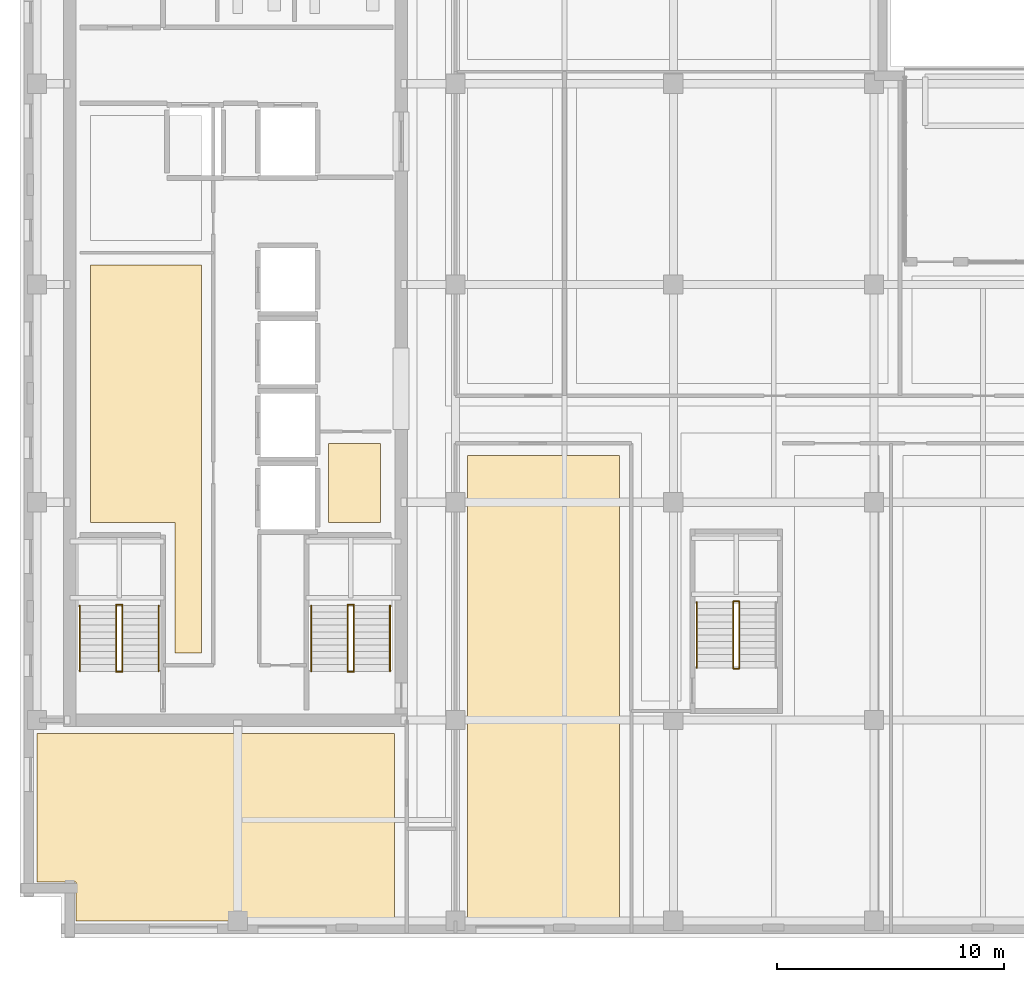
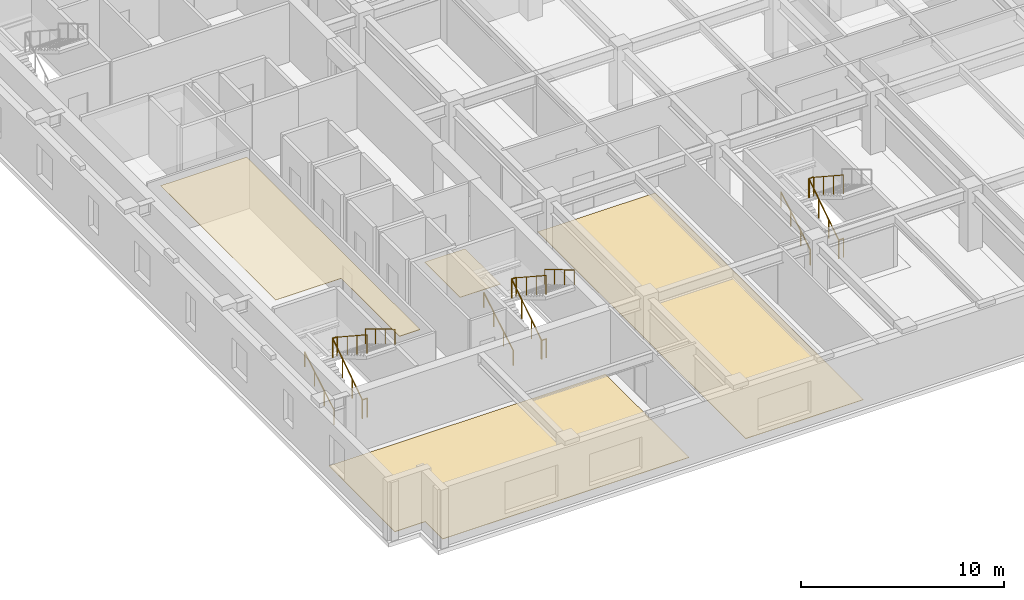
# One storey, part 10 of 14: 17 railings, 4 coverings.
"""IFC4 building model written with IfcOpenShell, lengths in metres."""

from ifc_helpers import new_model, si_unit, direction, frame, origin, origin_2d, place, context, subcontext, project, spatial, polyline, circle, outline, extrude, material, layer, layer_set, type_object, element, save


model = new_model("IFC4")

# Units and contexts
model_context = context("Model", 3, precision=1e-05, world=origin(), true_north=direction((0.0, 1.0)))
body_context = subcontext(model_context, "Body", "Model", "MODEL_VIEW")
ifc_project = project(units=[si_unit("LENGTHUNIT", "METRE"), si_unit("AREAUNIT", "SQUARE_METRE"), si_unit("VOLUMEUNIT", "CUBIC_METRE"), si_unit("PLANEANGLEUNIT", "RADIAN"), si_unit("MASSUNIT", "GRAM", prefix="KILO")], contexts=[model_context])

# Site, building, storey
site_placement = place(None, origin())
site = spatial("IfcSite", under=ifc_project, at=site_placement, CompositionType="ELEMENT")
building_placement = place(site_placement, origin())
building = spatial("IfcBuilding", under=site, at=building_placement, Name="Norrvale University Quadrangle", CompositionType="ELEMENT")
storey_placement = place(building_placement, frame((0.0, 0.0, 221.800048828125)))
storey = spatial("IfcBuildingStorey", under=building, at=storey_placement, Name="L56", CompositionType="ELEMENT", Elevation=221.800048828125)

# Coverings
ifc_material_1 = material(Name="Perforated Acoustic Mineral Ceiling")
ifc_layer_1 = layer(ifc_material_1, 0.02490234375, Name="Perforated Acoustic Mineral Ceiling")
ifc_layer_set_1 = layer_set([ifc_layer_1], Name="Perforated Acoustic Mineral Ceiling")
covering_type_1 = type_object("IfcCoveringType", Name="Covering Acoustic Ceiling 25", PredefinedType="CEILING", material=ifc_layer_set_1)
covering_1_placement = place(storey_placement, frame((0.0, 0.0, 3.514892578125)))
element("IfcCovering", 1, at=covering_1_placement, inside=storey, type_object=covering_type_1, Name="Acoustic Ceiling RM-L56-REC1", PredefinedType="CEILING", context=body_context, shape_type="SweptSolid", body=[
    extrude(outline(polyline([(3.10009765625, 18.300048828125), (3.10009765625, 29.64990234375), (8.0, 29.64990234375), (8.0, 12.550048828125), (6.830078125, 12.550048828125), (6.830078125, 18.300048828125), (3.10009765625, 18.300048828125)])), origin(), (0.0, 0.0, 1.0), 0.025146484375),
])
ifc_material_2 = material(Name="Polished Terrazzo Flooring")
ifc_layer_2 = layer(ifc_material_2, 0.02490234375, Name="Polished Terrazzo Flooring")
ifc_layer_set_2 = layer_set([ifc_layer_2], Name="Polished Terrazzo Flooring")
covering_type_2 = type_object("IfcCoveringType", Name="Covering Terrazzo Floor 30", PredefinedType="FLOORING", material=ifc_layer_set_2)
covering_2_placement = place(storey_placement, origin())
element("IfcCovering", 2, at=covering_2_placement, inside=storey, type_object=covering_type_2, Name="Terrazzo Flooring RM-L56-JAN", PredefinedType="FLOORING", context=body_context, shape_type="SweptSolid", body=[
    extrude(outline(polyline([(13.60009765625, 18.300048828125), (13.60009765625, 21.800048828125), (15.89990234375, 21.800048828125), (15.89990234375, 18.300048828125), (13.60009765625, 18.300048828125)])), origin(), (0.0, 0.0, 1.0), 0.02490234375),
])
covering_3_placement = place(storey_placement, origin())
element("IfcCovering", 3, at=covering_3_placement, inside=storey, type_object=covering_type_2, Name="Terrazzo Flooring RM-L56-SW1", PredefinedType="FLOORING", context=body_context, shape_type="SweptSolid", body=[
    extrude(outline(polyline([(16.5, 9.0), (16.5, 0.75), (2.469970703125, 0.75), (2.469970703125, 2.469970703125), (0.75, 2.469970703125), (0.75, 9.0), (16.5, 9.0)])), origin(), (0.0, 0.0, 1.0), 0.02490234375),
])
covering_4_placement = place(storey_placement, origin())
element("IfcCovering", 4, at=covering_4_placement, inside=storey, type_object=covering_type_2, Name="Terrazzo Flooring RM-L56-SE1", PredefinedType="FLOORING", context=body_context, shape_type="SweptSolid", body=[
    extrude(outline(polyline([(26.419921875, 21.27001953125), (26.419921875, 0.75), (19.72998046875, 0.75), (19.72998046875, 21.27001953125), (26.419921875, 21.27001953125)])), origin(), (0.0, 0.0, 1.0), 0.02490234375),
])

# Railings
ifc_material_3 = material(Name="Steel 350W Painted Balustrade", Category="steel")
railing_type_1 = type_object("IfcRailingType", Name="Railing Stair Guard 1100", PredefinedType="GUARDRAIL", material=ifc_material_3)
for number, where, name in (
    (5, (4.239990234375, 11.719970703125, 0.0), "Stair Floor Well Guard ST-01 L56"),
    (6, (4.239990234375, 14.679931640625, 1.89990234375), "Stair Mid-Landing Slot Guard ST-01 L56"),
):
    element("IfcRailing", number, at=place(storey_placement, frame(where)), inside=storey, type_object=railing_type_1, Name=name, PredefinedType="GUARDRAIL", context=body_context, shape_type="SweptSolid", body=[
        extrude(circle(Radius=0.02392578125, at=origin_2d()), frame((0.0, 0.0, 1.1259765625), z_axis=(1.0, 0.0, 0.0), x_axis=(0.0, 1.0, 0.0)), (0.0, 0.0, 1.0), 0.27001953125),
        extrude(circle(Radius=0.02099609375, at=origin_2d()), origin(), (0.0, 0.0, 1.0), 1.101806640625),
        extrude(circle(Radius=0.02099609375, at=origin_2d()), frame((0.27001953125, 0.0, 0.0)), (0.0, 0.0, 1.0), 1.101806640625),
    ])
railing_1_placement = place(storey_placement, frame((4.239990234375, 11.75, 0.0)))
element("IfcRailing", 7, at=railing_1_placement, inside=storey, type_object=railing_type_1, Name="Stair Lower Flight Inner Guard ST-01 L56", PredefinedType="GUARDRAIL", context=body_context, shape_type="SweptSolid", body=[
    extrude(circle(Radius=0.02392578125, at=origin_2d()), frame((0.0, 0.0, 1.1259765625), z_axis=(0.0, 0.836465582154, 0.548019461216), x_axis=(-1.0, 0.0, 0.0)), (0.0, 0.0, 1.0), 3.466796875),
    extrude(circle(Radius=0.02099609375, at=origin_2d()), origin(), (0.0, 0.0, 1.0), 1.101806640625),
    extrude(circle(Radius=0.02099609375, at=origin_2d()), frame((0.0, 0.966552734375, 0.63330078125)), (0.0, 0.0, 1.0), 1.101806640625),
    extrude(circle(Radius=0.02099609375, at=origin_2d()), frame((0.0, 1.933349609375, 1.2666015625)), (0.0, 0.0, 1.0), 1.101806640625),
    extrude(circle(Radius=0.02099609375, at=origin_2d()), frame((0.0, 2.89990234375, 1.89990234375)), (0.0, 0.0, 1.0), 1.101806640625),
])
railing_2_placement = place(storey_placement, frame((4.510009765625, 14.64990234375, 1.89990234375)))
element("IfcRailing", 8, at=railing_2_placement, inside=storey, type_object=railing_type_1, Name="Stair Upper Flight Inner Guard ST-01 L56", PredefinedType="GUARDRAIL", context=body_context, shape_type="SweptSolid", body=[
    extrude(circle(Radius=0.02392578125, at=origin_2d()), frame((0.0, 0.0, 1.1259765625), z_axis=(0.0, -0.836433300813, 0.548068730445), x_axis=(1.0, 0.0, 0.0)), (0.0, 0.0, 1.0), 3.467041015625),
    extrude(circle(Radius=0.02099609375, at=origin_2d()), origin(), (0.0, 0.0, 1.0), 1.101806640625),
    extrude(circle(Radius=0.02099609375, at=origin_2d()), frame((0.0, -0.966552734375, 0.63330078125)), (0.0, 0.0, 1.0), 1.101806640625),
    extrude(circle(Radius=0.02099609375, at=origin_2d()), frame((0.0, -1.933349609375, 1.266845703125)), (0.0, 0.0, 1.0), 1.101806640625),
    extrude(circle(Radius=0.02099609375, at=origin_2d()), frame((0.0, -2.89990234375, 1.900146484375)), (0.0, 0.0, 1.0), 1.101806640625),
])
for number, where, name in (
    (9, (14.43994140625, 11.719970703125, 0.0), "Stair Floor Well Guard ST-03 L56"),
    (10, (14.43994140625, 14.679931640625, 1.89990234375), "Stair Mid-Landing Slot Guard ST-03 L56"),
):
    element("IfcRailing", number, at=place(storey_placement, frame(where)), inside=storey, type_object=railing_type_1, Name=name, PredefinedType="GUARDRAIL", context=body_context, shape_type="SweptSolid", body=[
        extrude(circle(Radius=0.02392578125, at=origin_2d()), frame((0.0, 0.0, 1.1259765625), z_axis=(1.0, 0.0, 0.0), x_axis=(0.0, 1.0, 0.0)), (0.0, 0.0, 1.0), 0.27001953125),
        extrude(circle(Radius=0.02099609375, at=origin_2d()), origin(), (0.0, 0.0, 1.0), 1.101806640625),
        extrude(circle(Radius=0.02099609375, at=origin_2d()), frame((0.27001953125, 0.0, 0.0)), (0.0, 0.0, 1.0), 1.101806640625),
    ])
railing_3_placement = place(storey_placement, frame((14.43994140625, 11.75, 0.0)))
element("IfcRailing", 11, at=railing_3_placement, inside=storey, type_object=railing_type_1, Name="Stair Lower Flight Inner Guard ST-03 L56", PredefinedType="GUARDRAIL", context=body_context, shape_type="SweptSolid", body=[
    extrude(circle(Radius=0.02392578125, at=origin_2d()), frame((0.0, 0.0, 1.1259765625), z_axis=(0.0, 0.836465582154, 0.548019461216), x_axis=(-1.0, 0.0, 0.0)), (0.0, 0.0, 1.0), 3.466796875),
    extrude(circle(Radius=0.02099609375, at=origin_2d()), origin(), (0.0, 0.0, 1.0), 1.101806640625),
    extrude(circle(Radius=0.02099609375, at=origin_2d()), frame((0.0, 0.966552734375, 0.63330078125)), (0.0, 0.0, 1.0), 1.101806640625),
    extrude(circle(Radius=0.02099609375, at=origin_2d()), frame((0.0, 1.933349609375, 1.2666015625)), (0.0, 0.0, 1.0), 1.101806640625),
    extrude(circle(Radius=0.02099609375, at=origin_2d()), frame((0.0, 2.89990234375, 1.89990234375)), (0.0, 0.0, 1.0), 1.101806640625),
])
railing_4_placement = place(storey_placement, frame((14.7099609375, 14.64990234375, 1.89990234375)))
element("IfcRailing", 12, at=railing_4_placement, inside=storey, type_object=railing_type_1, Name="Stair Upper Flight Inner Guard ST-03 L56", PredefinedType="GUARDRAIL", context=body_context, shape_type="SweptSolid", body=[
    extrude(circle(Radius=0.02392578125, at=origin_2d()), frame((0.0, 0.0, 1.1259765625), z_axis=(0.0, -0.836433300813, 0.548068730445), x_axis=(1.0, 0.0, 0.0)), (0.0, 0.0, 1.0), 3.467041015625),
    extrude(circle(Radius=0.02099609375, at=origin_2d()), origin(), (0.0, 0.0, 1.0), 1.101806640625),
    extrude(circle(Radius=0.02099609375, at=origin_2d()), frame((0.0, -0.966552734375, 0.63330078125)), (0.0, 0.0, 1.0), 1.101806640625),
    extrude(circle(Radius=0.02099609375, at=origin_2d()), frame((0.0, -1.933349609375, 1.266845703125)), (0.0, 0.0, 1.0), 1.101806640625),
    extrude(circle(Radius=0.02099609375, at=origin_2d()), frame((0.0, -2.89990234375, 1.900146484375)), (0.0, 0.0, 1.0), 1.101806640625),
])
for number, where, name in (
    (13, (31.43994140625, 11.8701171875, 0.0), "Stair Floor Well Guard ST-04 L56"),
    (14, (31.43994140625, 14.830078125, 1.89990234375), "Stair Mid-Landing Slot Guard ST-04 L56"),
):
    element("IfcRailing", number, at=place(storey_placement, frame(where)), inside=storey, type_object=railing_type_1, Name=name, PredefinedType="GUARDRAIL", context=body_context, shape_type="SweptSolid", body=[
        extrude(circle(Radius=0.02392578125, at=origin_2d()), frame((0.0, 0.0, 1.1259765625), z_axis=(1.0, 0.0, 0.0), x_axis=(0.0, 1.0, 0.0)), (0.0, 0.0, 1.0), 0.27001953125),
        extrude(circle(Radius=0.02099609375, at=origin_2d()), origin(), (0.0, 0.0, 1.0), 1.101806640625),
        extrude(circle(Radius=0.02099609375, at=origin_2d()), frame((0.27001953125, 0.0, 0.0)), (0.0, 0.0, 1.0), 1.101806640625),
    ])
railing_5_placement = place(storey_placement, frame((31.43994140625, 11.89990234375, 0.0)))
element("IfcRailing", 15, at=railing_5_placement, inside=storey, type_object=railing_type_1, Name="Stair Lower Flight Inner Guard ST-04 L56", PredefinedType="GUARDRAIL", context=body_context, shape_type="SweptSolid", body=[
    extrude(circle(Radius=0.02392578125, at=origin_2d()), frame((0.0, 0.0, 1.1259765625), z_axis=(0.0, 0.836486729621, 0.547987181573), x_axis=(-1.0, 0.0, 0.0)), (0.0, 0.0, 1.0), 3.467041015625),
    extrude(circle(Radius=0.02099609375, at=origin_2d()), origin(), (0.0, 0.0, 1.0), 1.101806640625),
    extrude(circle(Radius=0.02099609375, at=origin_2d()), frame((0.0, 0.966796875, 0.63330078125)), (0.0, 0.0, 1.0), 1.101806640625),
    extrude(circle(Radius=0.02099609375, at=origin_2d()), frame((0.0, 1.933349609375, 1.2666015625)), (0.0, 0.0, 1.0), 1.101806640625),
    extrude(circle(Radius=0.02099609375, at=origin_2d()), frame((0.0, 2.900146484375, 1.89990234375)), (0.0, 0.0, 1.0), 1.101806640625),
])
railing_6_placement = place(storey_placement, frame((31.7099609375, 14.800048828125, 1.89990234375)))
element("IfcRailing", 16, at=railing_6_placement, inside=storey, type_object=railing_type_1, Name="Stair Upper Flight Inner Guard ST-04 L56", PredefinedType="GUARDRAIL", context=body_context, shape_type="SweptSolid", body=[
    extrude(circle(Radius=0.02392578125, at=origin_2d()), frame((0.0, 0.0, 1.1259765625), z_axis=(0.0, -0.836454451266, 0.548036450392), x_axis=(1.0, 0.0, 0.0)), (0.0, 0.0, 1.0), 3.46728515625),
    extrude(circle(Radius=0.02099609375, at=origin_2d()), origin(), (0.0, 0.0, 1.0), 1.101806640625),
    extrude(circle(Radius=0.02099609375, at=origin_2d()), frame((0.0, -0.966796875, 0.63330078125)), (0.0, 0.0, 1.0), 1.101806640625),
    extrude(circle(Radius=0.02099609375, at=origin_2d()), frame((0.0, -1.933349609375, 1.266845703125)), (0.0, 0.0, 1.0), 1.101806640625),
    extrude(circle(Radius=0.02099609375, at=origin_2d()), frame((0.0, -2.900146484375, 1.900146484375)), (0.0, 0.0, 1.0), 1.101806640625),
])
ifc_material_4 = material(Name="Stainless Steel 316L Handrail", Category="steel")
railing_type_2 = type_object("IfcRailingType", Name="Railing Stair Handrail 920", PredefinedType="HANDRAIL", material=ifc_material_4)
railing_7_placement = place(storey_placement, frame((2.639892578125, 11.75, 0.172607421875)))
element("IfcRailing", 17, at=railing_7_placement, inside=storey, type_object=railing_type_2, Name="Stair Lower Flight Handrail ST-01 L56", PredefinedType="HANDRAIL", context=body_context, shape_type="SweptSolid", body=[
    extrude(circle(Radius=0.02392578125, at=origin_2d()), frame((0.0, 0.0, 0.89599609375), z_axis=(0.0, 0.859141464434, 0.511738159696), x_axis=(-1.0, 0.0, 0.0)), (0.0, 0.0, 1.0), 3.375244140625),
    extrude(circle(Radius=0.02099609375, at=origin_2d()), origin(), (0.0, 0.0, 1.0), 0.871826171875),
    extrude(circle(Radius=0.02099609375, at=origin_2d()), frame((0.0, 0.966552734375, 0.57568359375)), (0.0, 0.0, 1.0), 0.871826171875),
    extrude(circle(Radius=0.02099609375, at=origin_2d()), frame((0.0, 1.933349609375, 1.151611328125)), (0.0, 0.0, 1.0), 0.871826171875),
    extrude(circle(Radius=0.02099609375, at=origin_2d()), frame((0.0, 2.89990234375, 1.727294921875)), (0.0, 0.0, 1.0), 0.871826171875),
])
railing_8_placement = place(storey_placement, frame((6.110107421875, 14.64990234375, 2.07275390625)))
element("IfcRailing", 18, at=railing_8_placement, inside=storey, type_object=railing_type_2, Name="Stair Upper Flight Handrail ST-01 L56", PredefinedType="HANDRAIL", context=body_context, shape_type="SweptSolid", body=[
    extrude(circle(Radius=0.02392578125, at=origin_2d()), frame((0.0, 0.0, 0.89599609375), z_axis=(0.0, -0.859141464434, 0.511738159696), x_axis=(1.0, 0.0, 0.0)), (0.0, 0.0, 1.0), 3.375244140625),
    extrude(circle(Radius=0.02099609375, at=origin_2d()), origin(), (0.0, 0.0, 1.0), 0.871826171875),
    extrude(circle(Radius=0.02099609375, at=origin_2d()), frame((0.0, -0.966552734375, 0.57568359375)), (0.0, 0.0, 1.0), 0.871826171875),
    extrude(circle(Radius=0.02099609375, at=origin_2d()), frame((0.0, -1.933349609375, 1.151611328125)), (0.0, 0.0, 1.0), 0.871826171875),
    extrude(circle(Radius=0.02099609375, at=origin_2d()), frame((0.0, -2.89990234375, 1.727294921875)), (0.0, 0.0, 1.0), 0.871826171875),
])
railing_9_placement = place(storey_placement, frame((12.840087890625, 11.75, 0.172607421875)))
element("IfcRailing", 19, at=railing_9_placement, inside=storey, type_object=railing_type_2, Name="Stair Lower Flight Handrail ST-03 L56", PredefinedType="HANDRAIL", context=body_context, shape_type="SweptSolid", body=[
    extrude(circle(Radius=0.02392578125, at=origin_2d()), frame((0.0, 0.0, 0.89599609375), z_axis=(0.0, 0.859141464434, 0.511738159696), x_axis=(-1.0, 0.0, 0.0)), (0.0, 0.0, 1.0), 3.375244140625),
    extrude(circle(Radius=0.02099609375, at=origin_2d()), origin(), (0.0, 0.0, 1.0), 0.871826171875),
    extrude(circle(Radius=0.02099609375, at=origin_2d()), frame((0.0, 0.966552734375, 0.57568359375)), (0.0, 0.0, 1.0), 0.871826171875),
    extrude(circle(Radius=0.02099609375, at=origin_2d()), frame((0.0, 1.933349609375, 1.151611328125)), (0.0, 0.0, 1.0), 0.871826171875),
    extrude(circle(Radius=0.02099609375, at=origin_2d()), frame((0.0, 2.89990234375, 1.727294921875)), (0.0, 0.0, 1.0), 0.871826171875),
])
railing_10_placement = place(storey_placement, frame((16.31005859375, 14.64990234375, 2.07275390625)))
element("IfcRailing", 20, at=railing_10_placement, inside=storey, type_object=railing_type_2, Name="Stair Upper Flight Handrail ST-03 L56", PredefinedType="HANDRAIL", context=body_context, shape_type="SweptSolid", body=[
    extrude(circle(Radius=0.02392578125, at=origin_2d()), frame((0.0, 0.0, 0.89599609375), z_axis=(0.0, -0.859141464434, 0.511738159696), x_axis=(1.0, 0.0, 0.0)), (0.0, 0.0, 1.0), 3.375244140625),
    extrude(circle(Radius=0.02099609375, at=origin_2d()), origin(), (0.0, 0.0, 1.0), 0.871826171875),
    extrude(circle(Radius=0.02099609375, at=origin_2d()), frame((0.0, -0.966552734375, 0.57568359375)), (0.0, 0.0, 1.0), 0.871826171875),
    extrude(circle(Radius=0.02099609375, at=origin_2d()), frame((0.0, -1.933349609375, 1.151611328125)), (0.0, 0.0, 1.0), 0.871826171875),
    extrude(circle(Radius=0.02099609375, at=origin_2d()), frame((0.0, -2.89990234375, 1.727294921875)), (0.0, 0.0, 1.0), 0.871826171875),
])
railing_11_placement = place(storey_placement, frame((29.840087890625, 11.89990234375, 0.172607421875)))
element("IfcRailing", 21, at=railing_11_placement, inside=storey, type_object=railing_type_2, Name="Stair Lower Flight Handrail ST-04 L56", PredefinedType="HANDRAIL", context=body_context, shape_type="SweptSolid", body=[
    extrude(circle(Radius=0.02392578125, at=origin_2d()), frame((0.0, 0.0, 0.89599609375), z_axis=(0.0, 0.859160404282, 0.51170636083), x_axis=(-1.0, 0.0, 0.0)), (0.0, 0.0, 1.0), 3.37548828125),
    extrude(circle(Radius=0.02099609375, at=origin_2d()), origin(), (0.0, 0.0, 1.0), 0.871826171875),
    extrude(circle(Radius=0.02099609375, at=origin_2d()), frame((0.0, 0.966796875, 0.57568359375)), (0.0, 0.0, 1.0), 0.871826171875),
    extrude(circle(Radius=0.02099609375, at=origin_2d()), frame((0.0, 1.933349609375, 1.151611328125)), (0.0, 0.0, 1.0), 0.871826171875),
    extrude(circle(Radius=0.02099609375, at=origin_2d()), frame((0.0, 2.900146484375, 1.727294921875)), (0.0, 0.0, 1.0), 0.871826171875),
])

save(model, "model.ifc")
